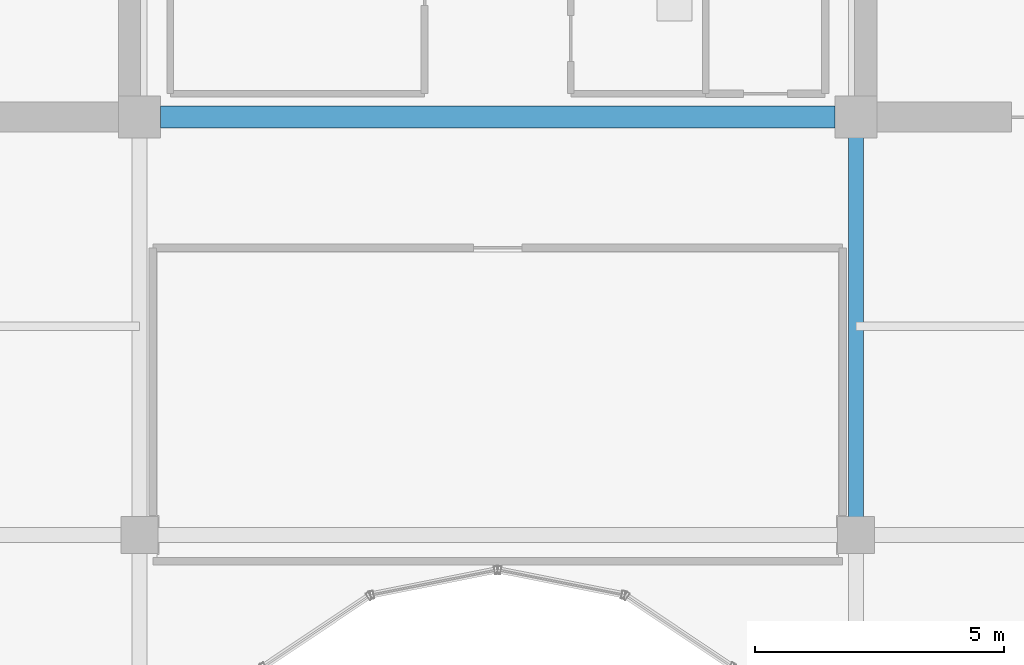
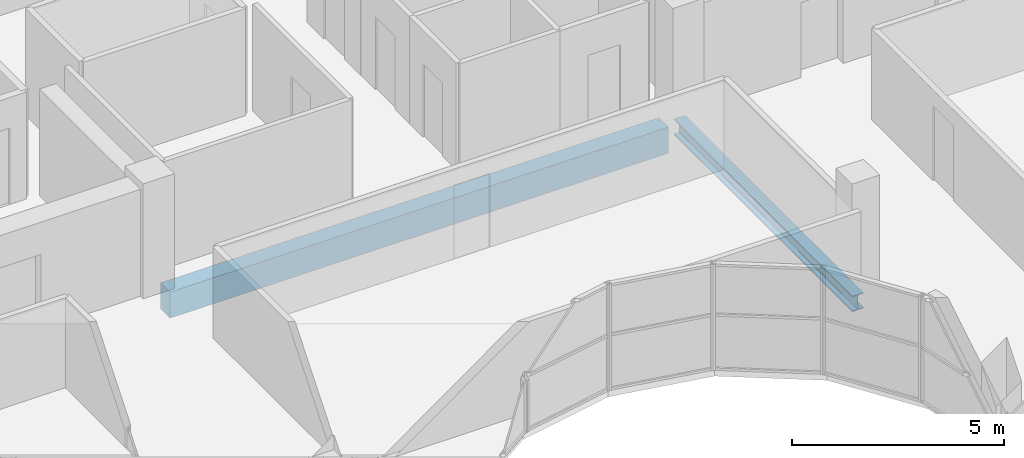
# One storey, part 8 of 29: 2 beams.
"""IFC4 building model written with IfcOpenShell, lengths in metres."""

from ifc_helpers import new_model, si_unit, direction, frame, origin, origin_2d, place, context, subcontext, project, spatial, rectangle, i_section, extrude, material, material_profile, profile_set, type_object, element, save


model = new_model("IFC4")

# Units and contexts
model_context = context("Model", 3, precision=1e-05, world=origin(), true_north=direction((0.0, 1.0)))
body_context = subcontext(model_context, "Body", "Model", "MODEL_VIEW")
ifc_project = project(units=[si_unit("LENGTHUNIT", "METRE"), si_unit("AREAUNIT", "SQUARE_METRE"), si_unit("VOLUMEUNIT", "CUBIC_METRE"), si_unit("PLANEANGLEUNIT", "RADIAN"), si_unit("MASSUNIT", "GRAM", prefix="KILO")], contexts=[model_context])

# Site, building, storey
site_placement = place(None, origin())
site = spatial("IfcSite", under=ifc_project, at=site_placement, CompositionType="ELEMENT")
building_placement = place(site_placement, origin())
building = spatial("IfcBuilding", under=site, at=building_placement, Name="Zarnakvel Exchange Tower", CompositionType="ELEMENT")
storey_placement = place(building_placement, frame((0.0, 0.0, 265.0)))
storey = spatial("IfcBuildingStorey", under=building, at=storey_placement, Name="L75", CompositionType="ELEMENT", Elevation=265.0)

# Beams
ifc_material_1 = material(Name="Concrete C50/60", Category="concrete")
ifc_material_profile_1 = material_profile(ifc_material_1, rectangle(XDim=0.449951171875, YDim=0.75, at=origin_2d()))
ifc_profile_set_1 = profile_set([ifc_material_profile_1], Name="Concrete C50/60")
beam_type_1 = type_object("IfcBeamType", Name="CB-03", PredefinedType="LINTEL", material=ifc_profile_set_1)
beam_1_placement = place(storey_placement, frame((-6.77490234375, -1.199951171875, -0.60009765625), z_axis=(1.0, 0.0, 0.0), x_axis=(0.0, 1.0, 0.0)))
element("IfcBeam", 1, at=beam_1_placement, inside=storey, type_object=beam_type_1, Name="L75 Rear Core South Coupling Beam (CB-03)", PredefinedType="LINTEL", context=body_context, shape_type="SweptSolid", body=[
    extrude(rectangle(XDim=0.449951171875, YDim=0.75, at=origin_2d()), origin(), (0.0, 0.0, 1.0), 13.5498046875),
])
ifc_material_2 = material(Name="Steel S355", Category="steel")
ifc_material_profile_2 = material_profile(ifc_material_2, i_section(OverallWidth=0.300048828125, OverallDepth=0.449951171875, WebThickness=0.013916015625, FlangeThickness=0.02587890625, FilletRadius=0.027099609375, at=origin_2d()))
ifc_profile_set_2 = profile_set([ifc_material_profile_2], Name="Steel S355")
beam_type_2 = type_object("IfcBeamType", Name="G-07", PredefinedType="BEAM", material=ifc_profile_set_2)
beam_2_placement = place(storey_placement, frame((7.199951171875, -9.60009765625, -0.449951171875), z_axis=(0.0, 1.0, 0.0), x_axis=(-1.0, 0.0, 0.0)))
element("IfcBeam", 2, at=beam_2_placement, inside=storey, type_object=beam_type_2, Name="L75 Tower N-S Frame Beam", PredefinedType="BEAM", context=body_context, shape_type="SweptSolid", body=[
    extrude(i_section(OverallWidth=0.300048828125, OverallDepth=0.449951171875, WebThickness=0.013916015625, FlangeThickness=0.02587890625, FilletRadius=0.027099609375, at=origin_2d()), origin(), (0.0, 0.0, 1.0), 8.400146484375),
])

save(model, "model.ifc")
